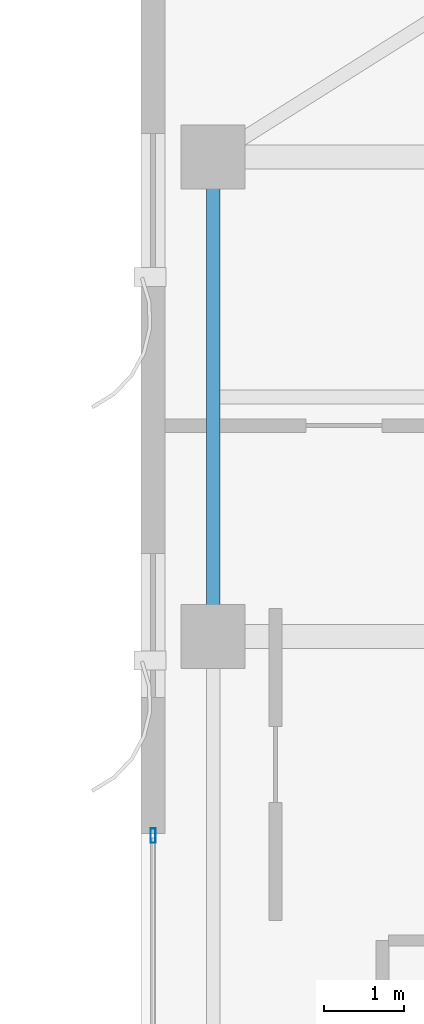
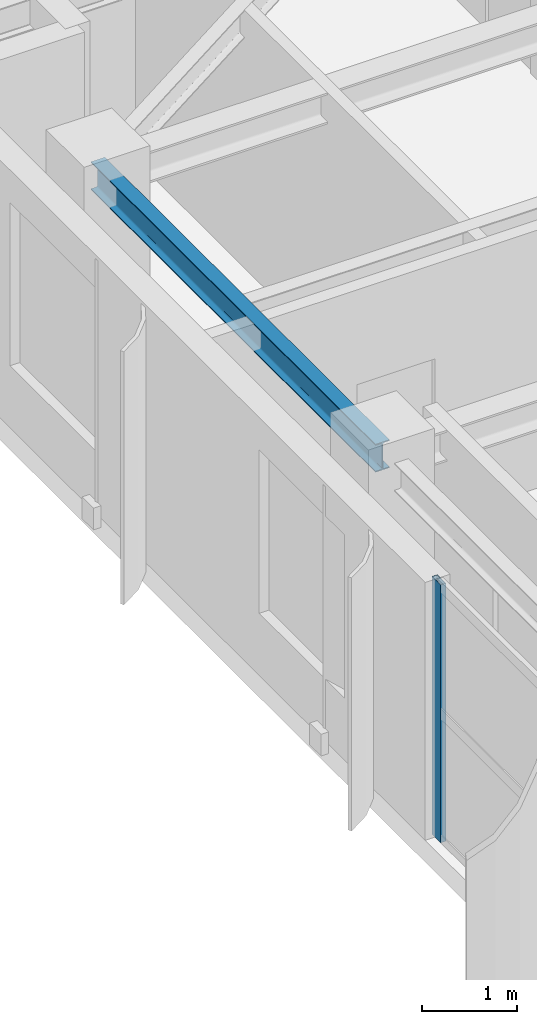
# One storey, part 9 of 22: 1 beam, 1 member, 1 element without a shape of its own.
"""IFC4 building model written with IfcOpenShell, lengths in metres."""

from ifc_helpers import new_model, si_unit, direction, frame, origin, origin_2d, place, context, subcontext, project, spatial, hollow_rectangle, i_section, extrude, source, transform, mapped, material, layer, layer_set, material_profile, profile_set, type_object, element, aggregate, save


model = new_model("IFC4")

# Units and contexts
model_context = context("Model", 3, precision=1e-05, world=origin(), true_north=direction((0.0, 1.0)))
body_context = subcontext(model_context, "Body", "Model", "MODEL_VIEW")
ifc_project = project(units=[si_unit("LENGTHUNIT", "METRE"), si_unit("AREAUNIT", "SQUARE_METRE"), si_unit("VOLUMEUNIT", "CUBIC_METRE"), si_unit("PLANEANGLEUNIT", "RADIAN"), si_unit("MASSUNIT", "GRAM", prefix="KILO")], contexts=[model_context])

# Site, building, storey
site_placement = place(None, origin())
site = spatial("IfcSite", under=ifc_project, at=site_placement, CompositionType="ELEMENT")
building_placement = place(site_placement, origin())
building = spatial("IfcBuilding", under=site, at=building_placement, Name="Khoralis Quay Care Tower", CompositionType="ELEMENT")
storey_placement = place(building_placement, frame((0.0, 0.0, 278.10009765625)))
storey = spatial("IfcBuildingStorey", under=building, at=storey_placement, Name="L73", CompositionType="ELEMENT", Elevation=278.10009765625)

# Beam
ifc_material_1 = material(Name="Steel S355", Category="steel")
ifc_material_profile_1 = material_profile(ifc_material_1, i_section(OverallWidth=0.169921875, OverallDepth=0.360107421875, WebThickness=0.008056640625, FlangeThickness=0.0126953125, FilletRadius=0.01806640625, at=origin_2d()), Name="Steel S355")
ifc_profile_set_1 = profile_set([ifc_material_profile_1], Name="Steel S355")
beam_type = type_object("IfcBeamType", Name="BM-IPE360", PredefinedType="SPANDREL", material=ifc_profile_set_1)
shared_shape_1 = source(origin(), body_context, "Body", "SweptSolid", [
    extrude(i_section(OverallWidth=0.169921875, OverallDepth=0.360107421875, WebThickness=0.008056640625, FlangeThickness=0.0126953125, FilletRadius=0.01806640625, at=origin_2d()), origin(), (0.0, 0.0, 1.0), 6.0),
])
beam_placement = place(storey_placement, frame((3.89990234375, 30.0, 3.139892578125), z_axis=(0.0, 1.0, 0.0), x_axis=(-1.0, 0.0, 0.0)))
element("IfcBeam", 1, at=beam_placement, inside=storey, type_object=beam_type, Name="BM-TSP-L73-12", PredefinedType="SPANDREL", context=body_context, shape_type="MappedRepresentation", body=[
    mapped(shared_shape_1, transform((0.0, 0.0, 0.0), scale=1.0)),
])

# Curtain wall, member
ifc_material_2 = material(Name="Pale anodised aluminium", Category="aluminium")
ifc_layer = layer(ifc_material_2, 0.159912109375)
ifc_layer_set = layer_set([ifc_layer], Name="Pale anodised aluminium")
curtain_wall_type = type_object("IfcCurtainWallType", Name="CW-SYS-Z3", PredefinedType="NOTDEFINED", material=ifc_layer_set)
curtain_wall_placement = place(storey_placement, origin())
curtain_wall = element("IfcCurtainWall", 2, at=curtain_wall_placement, inside=storey, type_object=curtain_wall_type, Name="L73 Unitised Curtain Wall CW-L73-P1-E15", PredefinedType="NOTDEFINED")
ifc_material_profile_2 = material_profile(ifc_material_2, hollow_rectangle(XDim=0.06494140625, YDim=0.179931640625, WallThickness=0.00390625, at=origin_2d()), Name="Pale anodised aluminium")
ifc_profile_set_2 = profile_set([ifc_material_profile_2], Name="Pale anodised aluminium")
member_type = type_object("IfcMemberType", Name="CW-MUL-180", PredefinedType="MULLION", material=ifc_profile_set_2)
shared_shape_2 = source(origin(), body_context, "Body", "SweptSolid", [
    extrude(hollow_rectangle(XDim=0.06494140625, YDim=0.179931640625, WallThickness=0.00390625, at=origin_2d()), origin(), (0.0, 0.0, 1.0), 3.31982421875),
])
member_placement = place(storey_placement, frame((3.14990234375, 27.510009765625, 0.0), z_axis=(0.0, 0.0, 1.0), x_axis=(1.0, 0.0, 0.0)))
member = element("IfcMember", 3, at=member_placement, type_object=member_type, Name="CW3 mullion 1", PredefinedType="MULLION", context=body_context, shape_type="MappedRepresentation", body=[
    mapped(shared_shape_2, transform((0.0, 0.0, 0.0), scale=1.0)),
])
aggregate(curtain_wall, [member])

save(model, "model.ifc")
